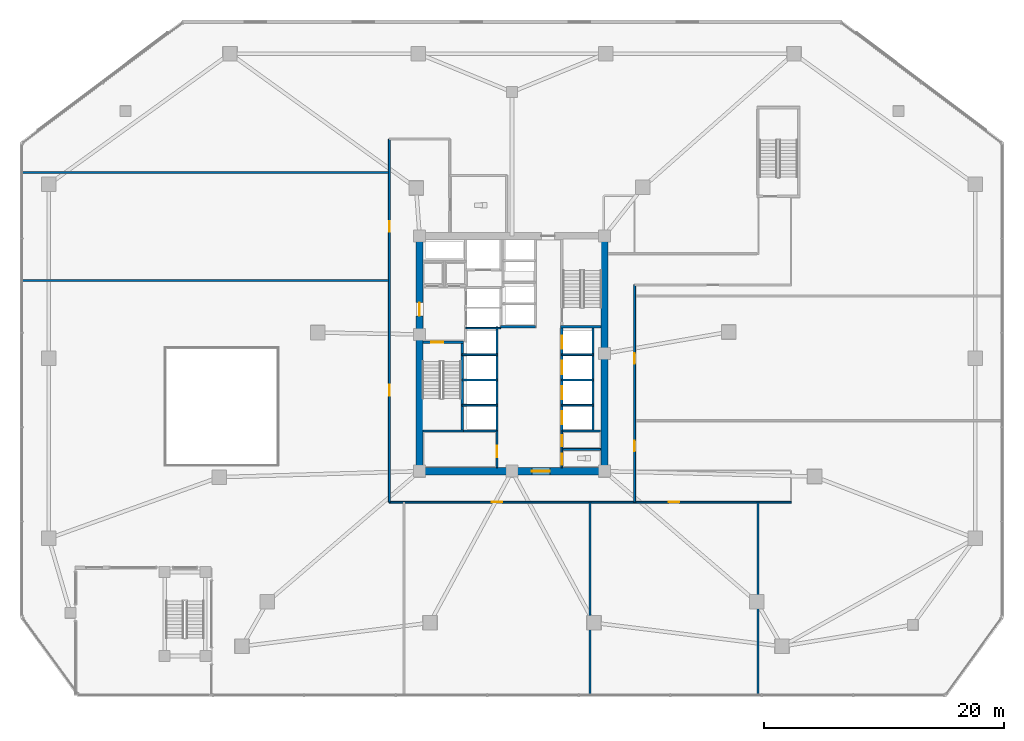
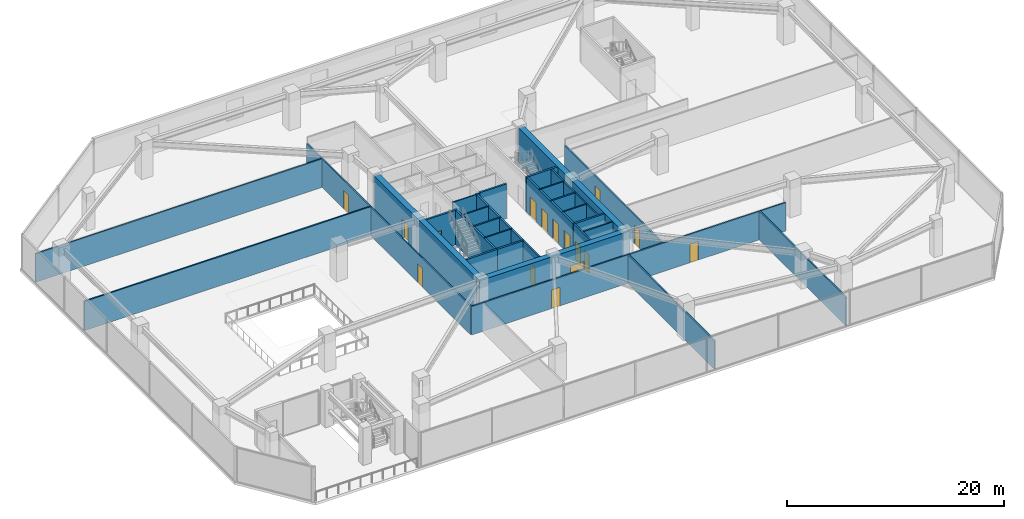
# One storey, part 11 of 22: 30 walls, 16 doors, 16 openings.
"""IFC4 building model written with IfcOpenShell, lengths in metres."""

from ifc_helpers import new_model, si_unit, direction, frame, frame_2d, origin, place, context, subcontext, project, spatial, rectangle, extrude, material, layer, layer_set, type_object, element, fill, save


model = new_model("IFC4")

# Units and contexts
model_context = context("Model", 3, precision=1e-05, world=origin(), true_north=direction((0.0, 1.0)))
body_context = subcontext(model_context, "Body", "Model", "MODEL_VIEW")
ifc_project = project(units=[si_unit("LENGTHUNIT", "METRE"), si_unit("AREAUNIT", "SQUARE_METRE"), si_unit("VOLUMEUNIT", "CUBIC_METRE"), si_unit("PLANEANGLEUNIT", "RADIAN"), si_unit("MASSUNIT", "GRAM", prefix="KILO")], contexts=[model_context])

# Site, building, storey
site_placement = place(None, origin())
site = spatial("IfcSite", under=ifc_project, at=site_placement, CompositionType="ELEMENT")
building_placement = place(site_placement, origin())
building = spatial("IfcBuilding", under=site, at=building_placement, Name="Savorim Split Tower", CompositionType="ELEMENT")
storey_placement = place(building_placement, frame((0.0, 0.0, 13.39990234375)))
storey = spatial("IfcBuildingStorey", under=building, at=storey_placement, Name="L03", CompositionType="ELEMENT", Elevation=13.39990234375)

# Wall, opening, door
ifc_material_1 = material(Name="Concrete C60/75", Category="concrete")
ifc_layer_1 = layer(ifc_material_1, 0.60009765625)
ifc_layer_set_1 = layer_set([ifc_layer_1], Name="WAL-COR-SH600")
wall_type_1 = type_object("IfcWallType", Name="WAL-COR-SH600", PredefinedType="SHEAR", material=ifc_layer_set_1)
wall_1_placement = place(storey_placement, frame((-8.0, -9.39990234375, 0.0), z_axis=(0.0, 0.0, 1.0), x_axis=(1.0, 0.0, 0.0)))
wall_1 = element("IfcWall", 1, at=wall_1_placement, inside=storey, type_object=wall_type_1, Name="L03 Offset Core South Shear Wall", PredefinedType="SHEAR", context=body_context, shape_type="SweptSolid", body=[
    extrude(rectangle(XDim=16.0, YDim=0.60009765625, at=frame_2d((8.0, 0.0))), origin(), (0.0, 0.0, 1.0), 3.920166015625),
])
opening_1_placement = place(wall_1_placement, frame((9.64990234375, 0.0, 0.0)))
opening_1 = element("IfcOpeningElement", 2, at=opening_1_placement, cuts=wall_1, Name="Opening DI-02", PredefinedType="OPENING", context=body_context, shape_type="SweptSolid", body=[
    extrude(rectangle(XDim=1.5, YDim=2.199951171875, at=frame_2d((0.75, 1.10009765625))), frame((0.0, 0.31005859375, 0.0), z_axis=(0.0, -1.0, 0.0), x_axis=(1.0, 0.0, 0.0)), (0.0, 0.0, 1.0), 0.6201171875),
])
ifc_material_2 = material(Name="Timber Fire Door Leaf", Category="wood")
door_type_1 = type_object("IfcDoorType", Name="DOR-DBL-1500", OperationType="NOTDEFINED", PredefinedType="DOOR", material=ifc_material_2)
door_1_placement = place(opening_1_placement, origin())
door_1 = element("IfcDoor", 3, at=door_1_placement, inside=storey, type_object=door_type_1, Name="DOR-L03-COR-LLOB - L03 Lift Lobby Main Rated Door", OperationType="DOUBLE_DOOR_SINGLE_SWING", OverallHeight=2.199951171875, OverallWidth=1.5, PredefinedType="DOOR", context=body_context, shape_type="SweptSolid", body=[
    extrude(rectangle(XDim=1.5, YDim=2.199951171875, at=frame_2d((0.75, 1.10009765625))), frame((0.0, 0.02490234375, 0.0), z_axis=(0.0, -1.0, 0.0), x_axis=(1.0, 0.0, 0.0)), (0.0, 0.0, 1.0), 0.050048828125),
])
fill(opening_1, door_1)

wall_2_placement = place(storey_placement, frame((-7.699951171875, -9.10009765625, 0.0), z_axis=(0.0, 0.0, 1.0), x_axis=(0.0, 1.0, 0.0)))
wall_2 = element("IfcWall", 4, at=wall_2_placement, inside=storey, type_object=wall_type_1, Name="L03 Offset Core West Shear Wall", PredefinedType="SHEAR", context=body_context, shape_type="SweptSolid", body=[
    extrude(rectangle(XDim=19.0, YDim=0.60009765625, at=frame_2d((9.5, 0.0))), origin(), (0.0, 0.0, 1.0), 3.920166015625),
])
opening_2_placement = place(wall_2_placement, frame((12.64990234375, 0.0, 0.0)))
opening_2 = element("IfcOpeningElement", 5, at=opening_2_placement, cuts=wall_2, Name="Opening DI-03", PredefinedType="OPENING", context=body_context, shape_type="SweptSolid", body=[
    extrude(rectangle(XDim=1.10009765625, YDim=2.14990234375, at=frame_2d((0.550048828125, 1.074951171875))), frame((0.0, 0.31005859375, 0.0), z_axis=(0.0, -1.0, 0.0), x_axis=(1.0, 0.0, 0.0)), (0.0, 0.0, 1.0), 0.6201171875),
])
door_type_2 = type_object("IfcDoorType", Name="DOR-FIR-1100", OperationType="NOTDEFINED", PredefinedType="DOOR", material=ifc_material_2)
door_2_placement = place(opening_2_placement, origin())
door_2 = element("IfcDoor", 6, at=door_2_placement, inside=storey, type_object=door_type_2, Name="DOR-L03-COR-FFLOB - L03 Firefighting Lobby Corridor Door", OperationType="SINGLE_SWING_LEFT", OverallHeight=2.14990234375, OverallWidth=1.10009765625, PredefinedType="DOOR", context=body_context, shape_type="SweptSolid", body=[
    extrude(rectangle(XDim=1.10009765625, YDim=2.14990234375, at=frame_2d((0.550048828125, 1.074951171875))), frame((0.0, 0.02490234375, 0.0), z_axis=(0.0, -1.0, 0.0), x_axis=(1.0, 0.0, 0.0)), (0.0, 0.0, 1.0), 0.050048828125),
])
fill(opening_2, door_2)

# Wall
wall_3_placement = place(storey_placement, frame((7.699951171875, 9.89990234375, 0.0), z_axis=(0.0, 0.0, 1.0), x_axis=(0.0, -1.0, 0.0)))
element("IfcWall", 7, at=wall_3_placement, inside=storey, type_object=wall_type_1, Name="L03 Offset Core East Shear Wall", PredefinedType="SHEAR", context=body_context, shape_type="SweptSolid", body=[
    extrude(rectangle(XDim=19.0, YDim=0.60009765625, at=frame_2d((9.5, 0.0))), origin(), (0.0, 0.0, 1.0), 3.920166015625),
])

# Wall, opening, door
ifc_material_3 = material(Name="Concrete C50/60", Category="concrete")
ifc_layer_2 = layer(ifc_material_3, 0.199951171875)
ifc_layer_set_2 = layer_set([ifc_layer_2], Name="WAL-INT-RC200")
wall_type_2 = type_object("IfcWallType", Name="WAL-INT-RC200", PredefinedType="SOLIDWALL", material=ifc_layer_set_2)
wall_4_placement = place(storey_placement, frame((-7.39990234375, 1.35009765625, 0.0), z_axis=(0.0, 0.0, 1.0), x_axis=(1.0, 0.0, 0.0)))
wall_4 = element("IfcWall", 8, at=wall_4_placement, inside=storey, type_object=wall_type_2, Name="L03 Structural Shaft Wall W-L03-CR01", PredefinedType="SOLIDWALL", context=body_context, shape_type="SweptSolid", body=[
    extrude(rectangle(XDim=3.349853515625, YDim=0.199951171875, at=frame_2d((1.6748046875, 0.0))), origin(), (0.0, 0.0, 1.0), 3.920166015625),
])
opening_3_placement = place(wall_4_placement, frame((0.64990234375, 0.0, 0.0)))
opening_3 = element("IfcOpeningElement", 9, at=opening_3_placement, cuts=wall_4, Name="Opening DI-04", PredefinedType="OPENING", context=body_context, shape_type="SweptSolid", body=[
    extrude(rectangle(XDim=1.0, YDim=2.14990234375, at=frame_2d((0.5, 1.074951171875))), frame((0.0, 0.10986328125, 0.0), z_axis=(0.0, -1.0, 0.0), x_axis=(1.0, 0.0, 0.0)), (0.0, 0.0, 1.0), 0.219970703125),
])
door_type_3 = type_object("IfcDoorType", Name="DOR-FIR-1000", OperationType="NOTDEFINED", PredefinedType="DOOR", material=ifc_material_2)
door_3_placement = place(opening_3_placement, origin())
door_3 = element("IfcDoor", 10, at=door_3_placement, inside=storey, type_object=door_type_3, Name="DR-L03-ST1 - L03 Stair ST-1 Enclosure Door", OperationType="SINGLE_SWING_LEFT", OverallHeight=2.14990234375, OverallWidth=1.0, PredefinedType="DOOR", context=body_context, shape_type="SweptSolid", body=[
    extrude(rectangle(XDim=1.0, YDim=2.14990234375, at=frame_2d((0.5, 1.074951171875))), frame((0.0, 0.02490234375, 0.0), z_axis=(0.0, -1.0, 0.0), x_axis=(1.0, 0.0, 0.0)), (0.0, 0.0, 1.0), 0.050048828125),
])
fill(opening_3, door_3)

# Walls
wall_5_placement = place(storey_placement, frame((-4.14990234375, -5.949951171875, 0.0), z_axis=(0.0, 0.0, 1.0), x_axis=(0.0, 1.0, 0.0)))
element("IfcWall", 11, at=wall_5_placement, inside=storey, type_object=wall_type_2, Name="L03 Structural Shaft Wall W-L03-CR02", PredefinedType="SOLIDWALL", context=body_context, shape_type="SweptSolid", body=[
    extrude(rectangle(XDim=7.199951171875, YDim=0.199951171875, at=frame_2d((3.60009765625, 0.0))), origin(), (0.0, 0.0, 1.0), 3.920166015625),
])
wall_6_placement = place(storey_placement, frame((4.050048828125, 2.64990234375, 0.0), z_axis=(0.0, 0.0, 1.0), x_axis=(1.0, 0.0, 0.0)))
element("IfcWall", 12, at=wall_6_placement, inside=storey, type_object=wall_type_2, Name="L03 Structural Shaft Wall W-L03-CR08", PredefinedType="SOLIDWALL", context=body_context, shape_type="SweptSolid", body=[
    extrude(rectangle(XDim=3.349853515625, YDim=0.199951171875, at=frame_2d((1.6748046875, 0.0))), origin(), (0.0, 0.0, 1.0), 3.920166015625),
])

# Wall, openings, doors
wall_7_placement = place(storey_placement, frame((4.14990234375, -6.050048828125, 0.0), z_axis=(0.0, 0.0, 1.0), x_axis=(0.0, 1.0, 0.0)))
wall_7 = element("IfcWall", 13, at=wall_7_placement, inside=storey, type_object=wall_type_2, Name="L03 Partition W-L03-B1FRONT", PredefinedType="SOLIDWALL", context=body_context, shape_type="SweptSolid", body=[
    extrude(rectangle(XDim=8.699951171875, YDim=0.199951171875, at=frame_2d((4.35009765625, 0.0))), origin(), (0.0, 0.0, 1.0), 3.920166015625),
])
opening_4_placement = place(wall_7_placement, frame((0.550048828125, 0.0, 0.0)))
opening_4 = element("IfcOpeningElement", 14, at=opening_4_placement, cuts=wall_7, Name="Opening LD-01", PredefinedType="OPENING", context=body_context, shape_type="SweptSolid", body=[
    extrude(rectangle(XDim=1.10009765625, YDim=2.14990234375, at=frame_2d((0.550048828125, 1.074951171875))), frame((0.0, 0.10986328125, 0.0), z_axis=(0.0, -1.0, 0.0), x_axis=(1.0, 0.0, 0.0)), (0.0, 0.0, 1.0), 0.219970703125),
])
opening_5_placement = place(wall_7_placement, frame((2.64990234375, 0.0, 0.0)))
opening_5 = element("IfcOpeningElement", 15, at=opening_5_placement, cuts=wall_7, Name="Opening LD-01", PredefinedType="OPENING", context=body_context, shape_type="SweptSolid", body=[
    extrude(rectangle(XDim=1.10009765625, YDim=2.14990234375, at=frame_2d((0.550048828125, 1.074951171875))), frame((0.0, 0.10986328125, 0.0), z_axis=(0.0, -1.0, 0.0), x_axis=(1.0, 0.0, 0.0)), (0.0, 0.0, 1.0), 0.219970703125),
])
opening_6_placement = place(wall_7_placement, frame((4.75, 0.0, 0.0)))
opening_6 = element("IfcOpeningElement", 16, at=opening_6_placement, cuts=wall_7, Name="Opening LD-01", PredefinedType="OPENING", context=body_context, shape_type="SweptSolid", body=[
    extrude(rectangle(XDim=1.10009765625, YDim=2.14990234375, at=frame_2d((0.550048828125, 1.074951171875))), frame((0.0, 0.10986328125, 0.0), z_axis=(0.0, -1.0, 0.0), x_axis=(1.0, 0.0, 0.0)), (0.0, 0.0, 1.0), 0.219970703125),
])
opening_7_placement = place(wall_7_placement, frame((6.85009765625, 0.0, 0.0)))
opening_7 = element("IfcOpeningElement", 17, at=opening_7_placement, cuts=wall_7, Name="Opening LD-01", PredefinedType="OPENING", context=body_context, shape_type="SweptSolid", body=[
    extrude(rectangle(XDim=1.10009765625, YDim=2.14990234375, at=frame_2d((0.550048828125, 1.074951171875))), frame((0.0, 0.10986328125, 0.0), z_axis=(0.0, -1.0, 0.0), x_axis=(1.0, 0.0, 0.0)), (0.0, 0.0, 1.0), 0.219970703125),
])
ifc_material_4 = material(Name="Charcoal Anodised Aluminium", Category="aluminium")
door_type_4 = type_object("IfcDoorType", Name="DOR-SLD-LD1100", OperationType="NOTDEFINED", PredefinedType="DOOR", material=ifc_material_4)
door_4_placement = place(opening_4_placement, origin())
door_4 = element("IfcDoor", 18, at=door_4_placement, inside=storey, type_object=door_type_4, Name="DR-L03-LD-PLL1 - L03 Lift PL-L1 Sliding Landing Door", OperationType="DOUBLE_DOOR_SLIDING", OverallHeight=2.14990234375, OverallWidth=1.10009765625, PredefinedType="DOOR", context=body_context, shape_type="SweptSolid", body=[
    extrude(rectangle(XDim=1.10009765625, YDim=2.14990234375, at=frame_2d((0.550048828125, 1.074951171875))), frame((0.0, 0.02490234375, 0.0), z_axis=(0.0, -1.0, 0.0), x_axis=(1.0, 0.0, 0.0)), (0.0, 0.0, 1.0), 0.050048828125),
])
fill(opening_4, door_4)
door_5_placement = place(opening_5_placement, origin())
door_5 = element("IfcDoor", 19, at=door_5_placement, inside=storey, type_object=door_type_4, Name="DR-L03-LD-PLL2 - L03 Lift PL-L2 Sliding Landing Door", OperationType="DOUBLE_DOOR_SLIDING", OverallHeight=2.14990234375, OverallWidth=1.10009765625, PredefinedType="DOOR", context=body_context, shape_type="SweptSolid", body=[
    extrude(rectangle(XDim=1.10009765625, YDim=2.14990234375, at=frame_2d((0.550048828125, 1.074951171875))), frame((0.0, 0.02490234375, 0.0), z_axis=(0.0, -1.0, 0.0), x_axis=(1.0, 0.0, 0.0)), (0.0, 0.0, 1.0), 0.050048828125),
])
fill(opening_5, door_5)
door_6_placement = place(opening_6_placement, origin())
door_6 = element("IfcDoor", 20, at=door_6_placement, inside=storey, type_object=door_type_4, Name="DR-L03-LD-PLL3 - L03 Lift PL-L3 Sliding Landing Door", OperationType="DOUBLE_DOOR_SLIDING", OverallHeight=2.14990234375, OverallWidth=1.10009765625, PredefinedType="DOOR", context=body_context, shape_type="SweptSolid", body=[
    extrude(rectangle(XDim=1.10009765625, YDim=2.14990234375, at=frame_2d((0.550048828125, 1.074951171875))), frame((0.0, 0.02490234375, 0.0), z_axis=(0.0, -1.0, 0.0), x_axis=(1.0, 0.0, 0.0)), (0.0, 0.0, 1.0), 0.050048828125),
])
fill(opening_6, door_6)
door_7_placement = place(opening_7_placement, origin())
door_7 = element("IfcDoor", 21, at=door_7_placement, inside=storey, type_object=door_type_4, Name="DR-L03-LD-PLL4 - L03 Lift PL-L4 Sliding Landing Door", OperationType="DOUBLE_DOOR_SLIDING", OverallHeight=2.14990234375, OverallWidth=1.10009765625, PredefinedType="DOOR", context=body_context, shape_type="SweptSolid", body=[
    extrude(rectangle(XDim=1.10009765625, YDim=2.14990234375, at=frame_2d((0.550048828125, 1.074951171875))), frame((0.0, 0.02490234375, 0.0), z_axis=(0.0, -1.0, 0.0), x_axis=(1.0, 0.0, 0.0)), (0.0, 0.0, 1.0), 0.050048828125),
])
fill(opening_7, door_7)

# Walls
wall_8_placement = place(storey_placement, frame((-1.25, -6.050048828125, 0.0), z_axis=(0.0, 0.0, 1.0), x_axis=(0.0, 1.0, 0.0)))
element("IfcWall", 22, at=wall_8_placement, inside=storey, type_object=wall_type_2, Name="L03 Partition W-L03-B2FRONT", PredefinedType="SOLIDWALL", context=body_context, shape_type="SweptSolid", body=[
    extrude(rectangle(XDim=8.699951171875, YDim=0.199951171875, at=frame_2d((4.35009765625, 0.0))), origin(), (0.0, 0.0, 1.0), 3.920166015625),
])
wall_9_placement = place(storey_placement, frame((-0.949951171875, 2.64990234375, 0.0), z_axis=(0.0, 0.0, 1.0), x_axis=(1.0, 0.0, 0.0)))
element("IfcWall", 23, at=wall_9_placement, inside=storey, type_object=wall_type_2, Name="L03 Partition W-L03-B3SOUTH", PredefinedType="SOLIDWALL", context=body_context, shape_type="SweptSolid", body=[
    extrude(rectangle(XDim=2.89990234375, YDim=0.199951171875, at=frame_2d((1.449951171875, 0.0))), origin(), (0.0, 0.0, 1.0), 3.920166015625),
])
wall_10_placement = place(storey_placement, frame((-7.39990234375, -6.050048828125, 0.0), z_axis=(0.0, 0.0, 1.0), x_axis=(1.0, 0.0, 0.0)))
element("IfcWall", 24, at=wall_10_placement, inside=storey, type_object=wall_type_2, Name="L03 Structural Shaft Wall W-L03-KSEP-W", PredefinedType="SOLIDWALL", context=body_context, shape_type="SweptSolid", body=[
    extrude(rectangle(XDim=3.349853515625, YDim=0.199951171875, at=frame_2d((1.6748046875, 0.0))), origin(), (0.0, 0.0, 1.0), 3.920166015625),
])
wall_11_placement = place(storey_placement, frame((-4.0400390625, -6.050048828125, 0.0), z_axis=(0.0, 0.0, 1.0), x_axis=(1.0, 0.0, 0.0)))
element("IfcWall", 25, at=wall_11_placement, inside=storey, type_object=wall_type_2, Name="L03 Partition W-L03-KSEP-W2", PredefinedType="SOLIDWALL", context=body_context, shape_type="SweptSolid", body=[
    extrude(rectangle(XDim=2.7900390625, YDim=0.199951171875, at=frame_2d((1.39501953125, 0.0))), origin(), (0.0, 0.0, 1.0), 3.920166015625),
])
wall_12_placement = place(storey_placement, frame((4.14990234375, -6.050048828125, 0.0), z_axis=(0.0, 0.0, 1.0), x_axis=(1.0, 0.0, 0.0)))
element("IfcWall", 26, at=wall_12_placement, inside=storey, type_object=wall_type_2, Name="L03 Partition W-L03-KSEP-E", PredefinedType="SOLIDWALL", context=body_context, shape_type="SweptSolid", body=[
    extrude(rectangle(XDim=3.2451171875, YDim=0.199951171875, at=frame_2d((1.62255859375, 0.0))), origin(), (0.0, 0.0, 1.0), 3.920166015625),
])
ifc_material_5 = material(Name="Acoustic Gypsum Partition Board")
ifc_layer_3 = layer(ifc_material_5, 0.1201171875)
ifc_layer_set_3 = layer_set([ifc_layer_3], Name="WAL-PAR-120")
wall_type_3 = type_object("IfcWallType", Name="WAL-PAR-120", PredefinedType="PARTITIONING", material=ifc_layer_set_3)
wall_13_placement = place(storey_placement, frame((-3.85009765625, 2.52001953125, 0.0), z_axis=(0.0, 0.0, 1.0), x_axis=(1.0, 0.0, 0.0)))
element("IfcWall", 27, at=wall_13_placement, inside=storey, type_object=wall_type_3, Name="L03 Partition W-L03-FFLD0", PredefinedType="PARTITIONING", context=body_context, shape_type="SweptSolid", body=[
    extrude(rectangle(XDim=2.900146484375, YDim=0.1201171875, at=frame_2d((1.4501953125, 0.0))), origin(), (0.0, 0.0, 1.0), 3.920166015625),
])
ifc_layer_4 = layer(ifc_material_5, 0.14990234375)
ifc_layer_set_4 = layer_set([ifc_layer_4], Name="WAL-PAR-150")
wall_type_4 = type_object("IfcWallType", Name="WAL-PAR-150", PredefinedType="PARTITIONING", material=ifc_layer_set_4)
wall_14_placement = place(storey_placement, frame((6.75, -6.050048828125, 0.0), z_axis=(0.0, 0.0, 1.0), x_axis=(0.0, 1.0, 0.0)))
element("IfcWall", 28, at=wall_14_placement, inside=storey, type_object=wall_type_4, Name="L03 Partition W-L03-B1BACK", PredefinedType="PARTITIONING", context=body_context, shape_type="SweptSolid", body=[
    extrude(rectangle(XDim=8.699951171875, YDim=0.14990234375, at=frame_2d((4.35009765625, 0.0))), origin(), (0.0, 0.0, 1.0), 3.920166015625),
])
for number, where, z_axis, x_axis, name in (
    (29, (4.14990234375, -3.89990234375, 0.0), (0.0, 0.0, 1.0), (1.0, 0.0, 0.0), "L03 Partition W-L03-B1DIV1"),
    (30, (4.14990234375, -1.800048828125, 0.0), (0.0, 0.0, 1.0), (1.0, 0.0, 0.0), "L03 Partition W-L03-B1DIV2"),
    (31, (4.14990234375, 0.300048828125, 0.0), (0.0, 0.0, 1.0), (1.0, 0.0, 0.0), "L03 Partition W-L03-B1DIV3"),
):
    element("IfcWall", number, at=place(storey_placement, frame(where, z_axis=z_axis, x_axis=x_axis)), inside=storey, type_object=wall_type_4, Name=name, PredefinedType="PARTITIONING", context=body_context, shape_type="SweptSolid", body=[
        extrude(rectangle(XDim=2.60009765625, YDim=0.14990234375, at=frame_2d((1.300048828125, 0.0))), origin(), (0.0, 0.0, 1.0), 3.920166015625),
    ])
for number, where, z_axis, x_axis, name in (
    (32, (-4.14990234375, -3.89990234375, 0.0), (0.0, 0.0, 1.0), (1.0, 0.0, 0.0), "L03 Partition W-L03-B2DIV1"),
    (33, (-4.14990234375, -1.800048828125, 0.0), (0.0, 0.0, 1.0), (1.0, 0.0, 0.0), "L03 Partition W-L03-B2DIV2"),
    (34, (-4.14990234375, 0.300048828125, 0.0), (0.0, 0.0, 1.0), (1.0, 0.0, 0.0), "L03 Partition W-L03-B2DIV3"),
):
    element("IfcWall", number, at=place(storey_placement, frame(where, z_axis=z_axis, x_axis=x_axis)), inside=storey, type_object=wall_type_4, Name=name, PredefinedType="PARTITIONING", context=body_context, shape_type="SweptSolid", body=[
        extrude(rectangle(XDim=2.89990234375, YDim=0.14990234375, at=frame_2d((1.449951171875, 0.0))), origin(), (0.0, 0.0, 1.0), 3.920166015625),
    ])

# Wall, opening, door
wall_15_placement = place(storey_placement, frame((-1.25, -9.094970703125, 0.0), z_axis=(0.0, 0.0, 1.0), x_axis=(0.0, 1.0, 0.0)))
wall_15 = element("IfcWall", 35, at=wall_15_placement, inside=storey, type_object=wall_type_4, Name="L03 Partition W-L03-KLOB-W", PredefinedType="PARTITIONING", context=body_context, shape_type="SweptSolid", body=[
    extrude(rectangle(XDim=3.044921875, YDim=0.14990234375, at=frame_2d((1.5224609375, 0.0))), origin(), (0.0, 0.0, 1.0), 3.920166015625),
])
opening_8_placement = place(wall_15_placement, frame((0.844970703125, 0.0, 0.0)))
opening_8 = element("IfcOpeningElement", 36, at=opening_8_placement, cuts=wall_15, Name="Opening DI-05", PredefinedType="OPENING", context=body_context, shape_type="SweptSolid", body=[
    extrude(rectangle(XDim=0.949951171875, YDim=2.10009765625, at=frame_2d((0.47509765625, 1.050048828125))), frame((0.0, 0.0849609375, 0.0), z_axis=(0.0, -1.0, 0.0), x_axis=(1.0, 0.0, 0.0)), (0.0, 0.0, 1.0), 0.169921875),
])
door_type_5 = type_object("IfcDoorType", Name="DOR-FIR-950", OperationType="NOTDEFINED", PredefinedType="DOOR", material=ifc_material_2)
door_8_placement = place(opening_8_placement, origin())
door_8 = element("IfcDoor", 37, at=door_8_placement, inside=storey, type_object=door_type_5, Name="DR-L03-K3LIN - L03 Housekeeping Store Door", OperationType="SINGLE_SWING_LEFT", OverallHeight=2.10009765625, OverallWidth=0.949951171875, PredefinedType="DOOR", context=body_context, shape_type="SweptSolid", body=[
    extrude(rectangle(XDim=0.949951171875, YDim=2.10009765625, at=frame_2d((0.47509765625, 1.050048828125))), frame((0.0, 0.02490234375, 0.0), z_axis=(0.0, -1.0, 0.0), x_axis=(1.0, 0.0, 0.0)), (0.0, 0.0, 1.0), 0.050048828125),
])
fill(opening_8, door_8)

# Wall, openings, doors
wall_16_placement = place(storey_placement, frame((4.14990234375, -9.094970703125, 0.0), z_axis=(0.0, 0.0, 1.0), x_axis=(0.0, 1.0, 0.0)))
wall_16 = element("IfcWall", 38, at=wall_16_placement, inside=storey, type_object=wall_type_4, Name="L03 Partition W-L03-KLOB-E", PredefinedType="PARTITIONING", context=body_context, shape_type="SweptSolid", body=[
    extrude(rectangle(XDim=3.044921875, YDim=0.14990234375, at=frame_2d((1.5224609375, 0.0))), origin(), (0.0, 0.0, 1.0), 3.920166015625),
])
opening_9_placement = place(wall_16_placement, frame((0.2451171875, 0.0, 0.0)))
opening_9 = element("IfcOpeningElement", 39, at=opening_9_placement, cuts=wall_16, Name="Opening DI-11", PredefinedType="OPENING", context=body_context, shape_type="SweptSolid", body=[
    extrude(rectangle(XDim=0.89990234375, YDim=2.10009765625, at=frame_2d((0.449951171875, 1.050048828125))), frame((0.0, 0.0849609375, 0.0), z_axis=(0.0, -1.0, 0.0), x_axis=(1.0, 0.0, 0.0)), (0.0, 0.0, 1.0), 0.169921875),
])
opening_10_placement = place(wall_16_placement, frame((1.794921875, 0.0, 0.0)))
opening_10 = element("IfcOpeningElement", 40, at=opening_10_placement, cuts=wall_16, Name="Opening DI-06", PredefinedType="OPENING", context=body_context, shape_type="SweptSolid", body=[
    extrude(rectangle(XDim=0.89990234375, YDim=2.10009765625, at=frame_2d((0.449951171875, 1.050048828125))), frame((0.0, 0.0849609375, 0.0), z_axis=(0.0, -1.0, 0.0), x_axis=(1.0, 0.0, 0.0)), (0.0, 0.0, 1.0), 0.169921875),
])
door_type_6 = type_object("IfcDoorType", Name="DOR-FIR-900", OperationType="NOTDEFINED", PredefinedType="DOOR", material=ifc_material_2)
door_9_placement = place(opening_10_placement, origin())
door_9 = element("IfcDoor", 41, at=door_9_placement, inside=storey, type_object=door_type_6, Name="DR-L03-K3LCK - L03 Cleaning Store Door", OperationType="SINGLE_SWING_LEFT", OverallHeight=2.10009765625, OverallWidth=0.89990234375, PredefinedType="DOOR", context=body_context, shape_type="SweptSolid", body=[
    extrude(rectangle(XDim=0.89990234375, YDim=2.10009765625, at=frame_2d((0.449951171875, 1.050048828125))), frame((0.0, 0.02490234375, 0.0), z_axis=(0.0, -1.0, 0.0), x_axis=(1.0, 0.0, 0.0)), (0.0, 0.0, 1.0), 0.050048828125),
])
fill(opening_10, door_9)
ifc_material_6 = material(Name="Oak Veneer Acoustic Door")
door_type_7 = type_object("IfcDoorType", Name="DOR-WC-900", OperationType="NOTDEFINED", PredefinedType="DOOR", material=ifc_material_6)
door_10_placement = place(opening_9_placement, origin())
door_10 = element("IfcDoor", 42, at=door_10_placement, inside=storey, type_object=door_type_7, Name="DR-L03-K3AWC - L03 Core Accessible WC Door", OperationType="SINGLE_SWING_RIGHT", OverallHeight=2.10009765625, OverallWidth=0.89990234375, PredefinedType="DOOR", context=body_context, shape_type="SweptSolid", body=[
    extrude(rectangle(XDim=0.89990234375, YDim=2.10009765625, at=frame_2d((0.449951171875, 1.050048828125))), frame((0.0, 0.02490234375, 0.0), z_axis=(0.0, -1.0, 0.0), x_axis=(1.0, 0.0, 0.0)), (0.0, 0.0, 1.0), 0.050048828125),
])
fill(opening_9, door_10)

# Wall
wall_17_placement = place(storey_placement, frame((4.14990234375, -7.580078125, 0.0), z_axis=(0.0, 0.0, 1.0), x_axis=(1.0, 0.0, 0.0)))
element("IfcWall", 43, at=wall_17_placement, inside=storey, type_object=wall_type_4, Name="L03 Partition W-L03-K3H", PredefinedType="PARTITIONING", context=body_context, shape_type="SweptSolid", body=[
    extrude(rectangle(XDim=3.2451171875, YDim=0.14990234375, at=frame_2d((1.62255859375, 0.0))), origin(), (0.0, 0.0, 1.0), 3.920166015625),
])

# Wall, openings, doors
wall_18_placement = place(storey_placement, frame((-10.219970703125, -11.97998046875, 0.0), z_axis=(0.0, 0.0, 1.0), x_axis=(1.0, 0.0, 0.0)))
wall_18 = element("IfcWall", 44, at=wall_18_placement, inside=storey, type_object=wall_type_4, Name="L03 Partition W-L03-PCS", PredefinedType="PARTITIONING", context=body_context, shape_type="SweptSolid", body=[
    extrude(rectangle(XDim=33.5, YDim=0.14990234375, at=frame_2d((16.75, 0.0))), origin(), (0.0, 0.0, 1.0), 3.195068359375),
])
opening_11_placement = place(wall_18_placement, frame((8.52001953125, 0.0, 0.0)))
opening_11 = element("IfcOpeningElement", 45, at=opening_11_placement, cuts=wall_18, Name="Opening DI-06", PredefinedType="OPENING", context=body_context, shape_type="SweptSolid", body=[
    extrude(rectangle(XDim=0.89990234375, YDim=2.10009765625, at=frame_2d((0.449951171875, 1.050048828125))), frame((0.0, 0.0849609375, 0.0), z_axis=(0.0, -1.0, 0.0), x_axis=(1.0, 0.0, 0.0)), (0.0, 0.0, 1.0), 0.169921875),
])
opening_12_placement = place(wall_18_placement, frame((23.27001953125, 0.0, 0.0)))
opening_12 = element("IfcOpeningElement", 46, at=opening_12_placement, cuts=wall_18, Name="Opening DI-06", PredefinedType="OPENING", context=body_context, shape_type="SweptSolid", body=[
    extrude(rectangle(XDim=0.89990234375, YDim=2.10009765625, at=frame_2d((0.449951171875, 1.050048828125))), frame((0.0, 0.0849609375, 0.0), z_axis=(0.0, -1.0, 0.0), x_axis=(1.0, 0.0, 0.0)), (0.0, 0.0, 1.0), 0.169921875),
])
door_11_placement = place(opening_11_placement, origin())
door_11 = element("IfcDoor", 47, at=door_11_placement, inside=storey, type_object=door_type_6, Name="DR-L03-RM03 - L03 Quiet Study Room Entry Door", OperationType="SINGLE_SWING_RIGHT", OverallHeight=2.10009765625, OverallWidth=0.89990234375, PredefinedType="DOOR", context=body_context, shape_type="SweptSolid", body=[
    extrude(rectangle(XDim=0.89990234375, YDim=2.10009765625, at=frame_2d((0.449951171875, 1.050048828125))), frame((0.0, 0.02490234375, 0.0), z_axis=(0.0, -1.0, 0.0), x_axis=(1.0, 0.0, 0.0)), (0.0, 0.0, 1.0), 0.050048828125),
])
fill(opening_11, door_11)
door_12_placement = place(opening_12_placement, origin())
door_12 = element("IfcDoor", 48, at=door_12_placement, inside=storey, type_object=door_type_6, Name="DR-L03-RM04 - L03 Atrium Gallery Entry Door", OperationType="SINGLE_SWING_LEFT", OverallHeight=2.10009765625, OverallWidth=0.89990234375, PredefinedType="DOOR", context=body_context, shape_type="SweptSolid", body=[
    extrude(rectangle(XDim=0.89990234375, YDim=2.10009765625, at=frame_2d((0.449951171875, 1.050048828125))), frame((0.0, 0.02490234375, 0.0), z_axis=(0.0, -1.0, 0.0), x_axis=(1.0, 0.0, 0.0)), (0.0, 0.0, 1.0), 0.050048828125),
])
fill(opening_12, door_12)

wall_19_placement = place(storey_placement, frame((-10.219970703125, -11.97998046875, 0.0), z_axis=(0.0, 0.0, 1.0), x_axis=(0.0, 1.0, 0.0)))
wall_19 = element("IfcWall", 49, at=wall_19_placement, inside=storey, type_object=wall_type_4, Name="L03 Partition W-L03-PCW", PredefinedType="PARTITIONING", context=body_context, shape_type="SweptSolid", body=[
    extrude(rectangle(XDim=30.260009765625, YDim=0.14990234375, at=frame_2d((15.1298828125, 0.0))), origin(), (0.0, 0.0, 1.0), 3.195068359375),
])
opening_13_placement = place(wall_19_placement, frame((8.8740234375, 0.0, 0.0)))
opening_13 = element("IfcOpeningElement", 50, at=opening_13_placement, cuts=wall_19, Name="Opening DI-06", PredefinedType="OPENING", context=body_context, shape_type="SweptSolid", body=[
    extrude(rectangle(XDim=0.89990234375, YDim=2.10009765625, at=frame_2d((0.449951171875, 1.050048828125))), frame((0.0, 0.0849609375, 0.0), z_axis=(0.0, -1.0, 0.0), x_axis=(1.0, 0.0, 0.0)), (0.0, 0.0, 1.0), 0.169921875),
])
opening_14_placement = place(wall_19_placement, frame((22.530029296875, 0.0, 0.0)))
opening_14 = element("IfcOpeningElement", 51, at=opening_14_placement, cuts=wall_19, Name="Opening DI-06", PredefinedType="OPENING", context=body_context, shape_type="SweptSolid", body=[
    extrude(rectangle(XDim=0.89990234375, YDim=2.10009765625, at=frame_2d((0.449951171875, 1.050048828125))), frame((0.0, 0.0849609375, 0.0), z_axis=(0.0, -1.0, 0.0), x_axis=(1.0, 0.0, 0.0)), (0.0, 0.0, 1.0), 0.169921875),
])
door_13_placement = place(opening_13_placement, origin())
door_13 = element("IfcDoor", 52, at=door_13_placement, inside=storey, type_object=door_type_6, Name="DR-L03-RM02 - L03 Co-Working Commons Entry Door", OperationType="SINGLE_SWING_LEFT", OverallHeight=2.10009765625, OverallWidth=0.89990234375, PredefinedType="DOOR", context=body_context, shape_type="SweptSolid", body=[
    extrude(rectangle(XDim=0.89990234375, YDim=2.10009765625, at=frame_2d((0.449951171875, 1.050048828125))), frame((0.0, 0.02490234375, 0.0), z_axis=(0.0, -1.0, 0.0), x_axis=(1.0, 0.0, 0.0)), (0.0, 0.0, 1.0), 0.050048828125),
])
fill(opening_13, door_13)
door_14_placement = place(opening_14_placement, origin())
door_14 = element("IfcDoor", 53, at=door_14_placement, inside=storey, type_object=door_type_6, Name="DR-L03-RM08 - L03 Maker Workshop Entry Door", OperationType="SINGLE_SWING_LEFT", OverallHeight=2.10009765625, OverallWidth=0.89990234375, PredefinedType="DOOR", context=body_context, shape_type="SweptSolid", body=[
    extrude(rectangle(XDim=0.89990234375, YDim=2.10009765625, at=frame_2d((0.449951171875, 1.050048828125))), frame((0.0, 0.02490234375, 0.0), z_axis=(0.0, -1.0, 0.0), x_axis=(1.0, 0.0, 0.0)), (0.0, 0.0, 1.0), 0.050048828125),
])
fill(opening_14, door_14)

wall_20_placement = place(storey_placement, frame((10.219970703125, -11.97998046875, 0.0), z_axis=(0.0, 0.0, 1.0), x_axis=(0.0, 1.0, 0.0)))
wall_20 = element("IfcWall", 54, at=wall_20_placement, inside=storey, type_object=wall_type_4, Name="L03 Partition W-L03-PCE", PredefinedType="PARTITIONING", context=body_context, shape_type="SweptSolid", body=[
    extrude(rectangle(XDim=18.10009765625, YDim=0.14990234375, at=frame_2d((9.050048828125, 0.0))), origin(), (0.0, 0.0, 1.0), 3.195068359375),
])
opening_15_placement = place(wall_20_placement, frame((4.232421875, 0.0, 0.0)))
opening_15 = element("IfcOpeningElement", 55, at=opening_15_placement, cuts=wall_20, Name="Opening DI-06", PredefinedType="OPENING", context=body_context, shape_type="SweptSolid", body=[
    extrude(rectangle(XDim=0.89990234375, YDim=2.10009765625, at=frame_2d((0.449951171875, 1.050048828125))), frame((0.0, 0.0849609375, 0.0), z_axis=(0.0, -1.0, 0.0), x_axis=(1.0, 0.0, 0.0)), (0.0, 0.0, 1.0), 0.169921875),
])
opening_16_placement = place(wall_20_placement, frame((11.530029296875, 0.0, 0.0)))
opening_16 = element("IfcOpeningElement", 56, at=opening_16_placement, cuts=wall_20, Name="Opening DI-06", PredefinedType="OPENING", context=body_context, shape_type="SweptSolid", body=[
    extrude(rectangle(XDim=0.89990234375, YDim=2.10009765625, at=frame_2d((0.449951171875, 1.050048828125))), frame((0.0, 0.0849609375, 0.0), z_axis=(0.0, -1.0, 0.0), x_axis=(1.0, 0.0, 0.0)), (0.0, 0.0, 1.0), 0.169921875),
])
door_15_placement = place(opening_15_placement, origin())
door_15 = element("IfcDoor", 57, at=door_15_placement, inside=storey, type_object=door_type_6, Name="DR-L03-RM05 - L03 Maker Workshop Entry Door", OperationType="SINGLE_SWING_RIGHT", OverallHeight=2.10009765625, OverallWidth=0.89990234375, PredefinedType="DOOR", context=body_context, shape_type="SweptSolid", body=[
    extrude(rectangle(XDim=0.89990234375, YDim=2.10009765625, at=frame_2d((0.449951171875, 1.050048828125))), frame((0.0, 0.02490234375, 0.0), z_axis=(0.0, -1.0, 0.0), x_axis=(1.0, 0.0, 0.0)), (0.0, 0.0, 1.0), 0.050048828125),
])
fill(opening_15, door_15)
door_16_placement = place(opening_16_placement, origin())
door_16 = element("IfcDoor", 58, at=door_16_placement, inside=storey, type_object=door_type_6, Name="DR-L03-RM06 - L03 Co-Working Commons Entry Door", OperationType="SINGLE_SWING_LEFT", OverallHeight=2.10009765625, OverallWidth=0.89990234375, PredefinedType="DOOR", context=body_context, shape_type="SweptSolid", body=[
    extrude(rectangle(XDim=0.89990234375, YDim=2.10009765625, at=frame_2d((0.449951171875, 1.050048828125))), frame((0.0, 0.02490234375, 0.0), z_axis=(0.0, -1.0, 0.0), x_axis=(1.0, 0.0, 0.0)), (0.0, 0.0, 1.0), 0.050048828125),
])
fill(opening_16, door_16)

# Walls
wall_21_placement = place(storey_placement, frame((-40.820068359375, 6.5, 0.0), z_axis=(0.0, 0.0, 1.0), x_axis=(1.0, 0.0, 0.0)))
element("IfcWall", 59, at=wall_21_placement, inside=storey, type_object=wall_type_4, Name="L03 Partition W-L03-PD4", PredefinedType="PARTITIONING", context=body_context, shape_type="SweptSolid", body=[
    extrude(rectangle(XDim=30.60009765625, YDim=0.14990234375, at=frame_2d((15.300048828125, 0.0))), origin(), (0.0, 0.0, 1.0), 3.30517578125),
])
for number, where, z_axis, x_axis, name in (
    (60, (6.5, -28.02001953125, 0.0), (0.0, 0.0, 1.0), (0.0, 1.0, 0.0), "L03 Partition W-L03-PD3A"),
    (61, (20.5, -28.02001953125, 0.0), (0.0, 0.0, 1.0), (0.0, 1.0, 0.0), "L03 Partition W-L03-PD3B"),
):
    element("IfcWall", number, at=place(storey_placement, frame(where, z_axis=z_axis, x_axis=x_axis)), inside=storey, type_object=wall_type_4, Name=name, PredefinedType="PARTITIONING", context=body_context, shape_type="SweptSolid", body=[
        extrude(rectangle(XDim=16.0400390625, YDim=0.14990234375, at=frame_2d((8.02001953125, 0.0))), origin(), (0.0, 0.0, 1.0), 3.195068359375),
    ])
wall_22_placement = place(storey_placement, frame((-40.820068359375, 15.5, 0.0), z_axis=(0.0, 0.0, 1.0), x_axis=(1.0, 0.0, 0.0)))
element("IfcWall", 62, at=wall_22_placement, inside=storey, type_object=wall_type_4, Name="L03 Partition W-L03-PD3D", PredefinedType="PARTITIONING", context=body_context, shape_type="SweptSolid", body=[
    extrude(rectangle(XDim=30.60009765625, YDim=0.14990234375, at=frame_2d((15.300048828125, 0.0))), origin(), (0.0, 0.0, 1.0), 3.195068359375),
])

save(model, "model.ifc")
